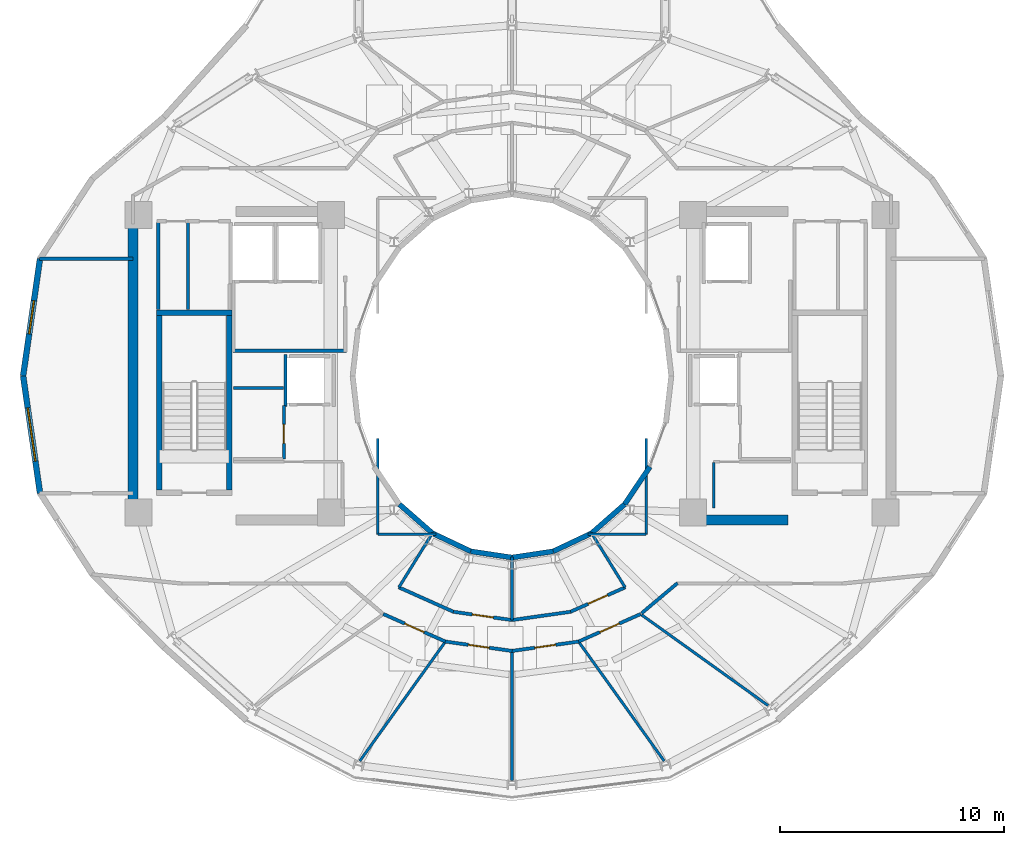
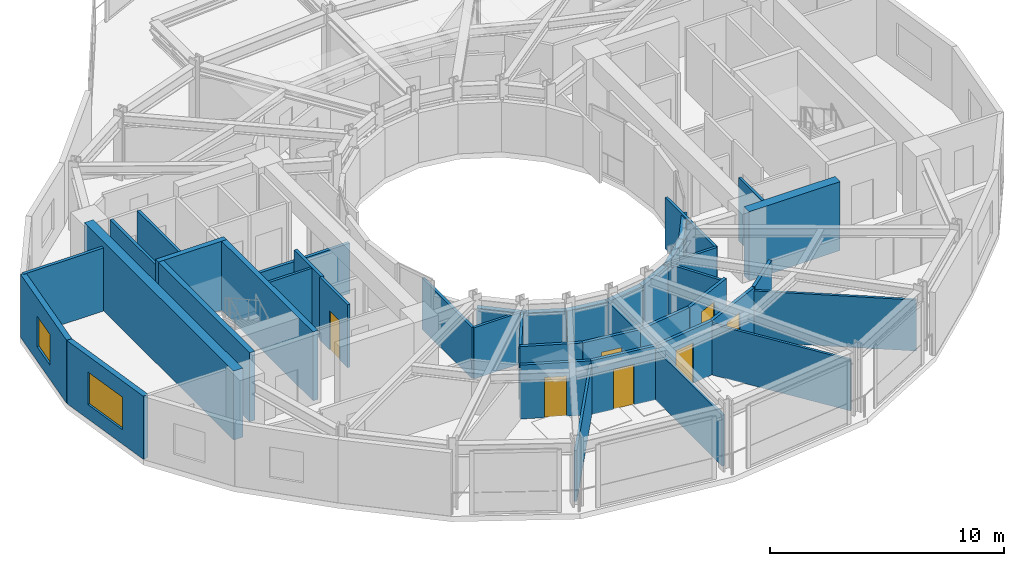
# One storey, part 18 of 24: 42 walls, 7 doors, 2 windows, 9 openings.
"""IFC4 building model written with IfcOpenShell, lengths in metres."""

from ifc_helpers import new_model, si_unit, direction, frame, frame_2d, origin, place, context, subcontext, project, spatial, rectangle, extrude, material, layer, layer_set, type_object, element, fill, save


model = new_model("IFC4")

# Units and contexts
model_context = context("Model", 3, precision=1e-05, world=origin(), true_north=direction((0.0, 1.0)))
body_context = subcontext(model_context, "Body", "Model", "MODEL_VIEW")
ifc_project = project(units=[si_unit("LENGTHUNIT", "METRE"), si_unit("AREAUNIT", "SQUARE_METRE"), si_unit("VOLUMEUNIT", "CUBIC_METRE"), si_unit("PLANEANGLEUNIT", "RADIAN"), si_unit("MASSUNIT", "GRAM", prefix="KILO")], contexts=[model_context])

# Site, building, storey
site_placement = place(None, origin())
site = spatial("IfcSite", under=ifc_project, at=site_placement, CompositionType="ELEMENT")
building_placement = place(site_placement, origin())
building = spatial("IfcBuilding", under=site, at=building_placement, Name="Solvane Sanctuary Tower", CompositionType="ELEMENT")
storey_placement = place(building_placement, frame((0.0, 0.0, 246.0)))
storey = spatial("IfcBuildingStorey", under=building, at=storey_placement, Name="L75", CompositionType="ELEMENT", Elevation=246.0)

# Walls
ifc_material_1 = material(Name="Concrete C50/60", Category="concrete")
ifc_layer_1 = layer(ifc_material_1, 0.449951171875, Name="Concrete C50/60")
ifc_layer_set_1 = layer_set([ifc_layer_1], Name="Concrete C50/60")
wall_type_1 = type_object("IfcWallType", Name="Wall W-CORE-450", PredefinedType="SHEAR", material=ifc_layer_set_1)
wall_1_placement = place(storey_placement, frame((15.050048828125, 17.050048828125, 0.0), z_axis=(0.0, 0.0, 1.0), x_axis=(0.0, 1.0, 0.0)))
element("IfcWall", 1, at=wall_1_placement, inside=storey, type_object=wall_type_1, Name="L75 Core Shear Wall WC-W", PredefinedType="SHEAR", context=body_context, shape_type="SweptSolid", body=[
    extrude(rectangle(XDim=12.800048828125, YDim=0.449951171875, at=frame_2d((6.39990234375, 0.0))), origin(), (0.0, 0.0, 1.0), 3.60009765625),
])
wall_2_placement = place(storey_placement, frame((39.85009765625, 16.550048828125, 0.0), z_axis=(0.0, 0.0, 1.0), x_axis=(1.0, 0.0, 0.0)))
element("IfcWall", 2, at=wall_2_placement, inside=storey, type_object=wall_type_1, Name="L75 Core Shear Wall EC-S", PredefinedType="SHEAR", context=body_context, shape_type="SweptSolid", body=[
    extrude(rectangle(XDim=4.5, YDim=0.449951171875, at=frame_2d((2.25, 0.0))), origin(), (0.0, 0.0, 1.0), 3.60009765625),
])
ifc_material_2 = material(Name="Acoustic Gypsum Partition Board")
ifc_layer_2 = layer(ifc_material_2, 0.14990234375, Name="Acoustic Gypsum Partition Board")
ifc_layer_set_2 = layer_set([ifc_layer_2], Name="Acoustic Gypsum Partition Board")
wall_type_2 = type_object("IfcWallType", Name="Wall W-CORR-150", PredefinedType="PARTITIONING", material=ifc_layer_set_2)
wall_3_placement = place(storey_placement, frame((19.52001953125, 24.1201171875, 0.0), z_axis=(0.0, 0.0, 1.0), x_axis=(1.0, 0.0, 0.0)))
element("IfcWall", 3, at=wall_3_placement, inside=storey, type_object=wall_type_2, Name="L75 West Firefighting Lobby South Wall", PredefinedType="PARTITIONING", context=body_context, shape_type="SweptSolid", body=[
    extrude(rectangle(XDim=5.080078125, YDim=0.14990234375, at=frame_2d((2.5400390625, 0.0))), origin(), (0.0, 0.0, 1.0), 2.6201171875),
])
wall_4_placement = place(storey_placement, frame((26.934814453125, 13.548583984375, 0.0), z_axis=(0.0, 0.0, 1.0), x_axis=(0.912859324183, -0.408274239027, 0.0)))
element("IfcWall", 4, at=wall_4_placement, inside=storey, type_object=wall_type_2, Name="L75 South Light-Well Corridor Wall 1", PredefinedType="PARTITIONING", context=body_context, shape_type="SweptSolid", body=[
    extrude(rectangle(XDim=2.681884765625, YDim=0.14990234375, at=frame_2d((1.3408203125, 0.0))), origin(), (0.0, 0.0, 1.0), 2.81591796875),
])

# Wall, opening, door
wall_5_placement = place(storey_placement, frame((29.379638671875, 12.45458984375, 0.0), z_axis=(0.0, 0.0, 1.0), x_axis=(0.990096156252, -0.140390887794, 0.0)))
wall_5 = element("IfcWall", 5, at=wall_5_placement, inside=storey, type_object=wall_type_2, Name="L75 South Light-Well Corridor Wall 1", PredefinedType="PARTITIONING", context=body_context, shape_type="SweptSolid", body=[
    extrude(rectangle(XDim=2.65380859375, YDim=0.14990234375, at=frame_2d((1.326904296875, 0.0))), origin(), (0.0, 0.0, 1.0), 2.81591796875),
])
opening_1_placement = place(wall_5_placement, frame((0.851806640625, 0.0, 0.0)))
opening_1 = element("IfcOpeningElement", 6, at=opening_1_placement, cuts=wall_5, Name="Opening D-L75-15", PredefinedType="OPENING", context=body_context, shape_type="SweptSolid", body=[
    extrude(rectangle(XDim=0.949951171875, YDim=2.10009765625, at=frame_2d((0.47509765625, 1.050048828125))), frame((0.0, 0.0849609375, 0.0), z_axis=(0.0, -1.0, 0.0), x_axis=(1.0, 0.0, 0.0)), (0.0, 0.0, 1.0), 0.169921875),
])
ifc_material_3 = material(Name="Engineered Tropical Hardwood", Category="wood")
door_type_1 = type_object("IfcDoorType", Name="Door D-ROOM-950", OperationType="NOTDEFINED", PredefinedType="DOOR", material=ifc_material_3)
door_1_placement = place(opening_1_placement, origin())
door_1 = element("IfcDoor", 7, at=door_1_placement, inside=storey, type_object=door_type_1, Name="L75 South Light-Well Alcove Door 1", OperationType="SINGLE_SWING_RIGHT", OverallHeight=2.10009765625, OverallWidth=0.949951171875, PredefinedType="DOOR", context=body_context, shape_type="SweptSolid", body=[
    extrude(rectangle(XDim=0.949951171875, YDim=2.10009765625, at=frame_2d((0.47509765625, 1.050048828125))), frame((0.0, 0.02490234375, 0.0), z_axis=(0.0, -1.0, 0.0), x_axis=(1.0, 0.0, 0.0)), (0.0, 0.0, 1.0), 0.050048828125),
])
fill(opening_1, door_1)

# Wall
wall_6_placement = place(storey_placement, frame((31.992919921875, 12.08203125, 0.0), z_axis=(0.0, 0.0, 1.0), x_axis=(0.990096156252, 0.140390887794, 0.0)))
element("IfcWall", 8, at=wall_6_placement, inside=storey, type_object=wall_type_2, Name="L75 South Light-Well Corridor Wall 2", PredefinedType="PARTITIONING", context=body_context, shape_type="SweptSolid", body=[
    extrude(rectangle(XDim=2.65380859375, YDim=0.14990234375, at=frame_2d((1.326904296875, 0.0))), origin(), (0.0, 0.0, 1.0), 2.81591796875),
])

# Wall, opening, door
wall_7_placement = place(storey_placement, frame((34.616943359375, 12.45361328125, 0.0), z_axis=(0.0, 0.0, 1.0), x_axis=(0.912859324183, 0.408274239027, 0.0)))
wall_7 = element("IfcWall", 9, at=wall_7_placement, inside=storey, type_object=wall_type_2, Name="L75 South Light-Well Corridor Wall 2", PredefinedType="PARTITIONING", context=body_context, shape_type="SweptSolid", body=[
    extrude(rectangle(XDim=2.681884765625, YDim=0.14990234375, at=frame_2d((1.3408203125, 0.0))), origin(), (0.0, 0.0, 1.0), 2.81591796875),
])
opening_2_placement = place(wall_7_placement, frame((0.865966796875, 0.0, 0.0)))
opening_2 = element("IfcOpeningElement", 10, at=opening_2_placement, cuts=wall_7, Name="Opening D-L75-16", PredefinedType="OPENING", context=body_context, shape_type="SweptSolid", body=[
    extrude(rectangle(XDim=0.949951171875, YDim=2.10009765625, at=frame_2d((0.47509765625, 1.050048828125))), frame((0.0, 0.0849609375, 0.0), z_axis=(0.0, -1.0, 0.0), x_axis=(1.0, 0.0, 0.0)), (0.0, 0.0, 1.0), 0.169921875),
])
door_2_placement = place(opening_2_placement, origin())
door_2 = element("IfcDoor", 11, at=door_2_placement, inside=storey, type_object=door_type_1, Name="L75 South Light-Well Alcove Door 2", OperationType="SINGLE_SWING_LEFT", OverallHeight=2.10009765625, OverallWidth=0.949951171875, PredefinedType="DOOR", context=body_context, shape_type="SweptSolid", body=[
    extrude(rectangle(XDim=0.949951171875, YDim=2.10009765625, at=frame_2d((0.47509765625, 1.050048828125))), frame((0.0, 0.02490234375, 0.0), z_axis=(0.0, -1.0, 0.0), x_axis=(1.0, 0.0, 0.0)), (0.0, 0.0, 1.0), 0.050048828125),
])
fill(opening_2, door_2)

# Walls
wall_8_placement = place(storey_placement, frame((10.87548828125, 28.245361328125, 0.0), z_axis=(0.0, 0.0, 1.0), x_axis=(1.0, 0.0, 0.0)))
element("IfcWall", 12, at=wall_8_placement, inside=storey, type_object=wall_type_2, Name="L75 West Shoulder North Wall", PredefinedType="PARTITIONING", context=body_context, shape_type="SweptSolid", body=[
    extrude(rectangle(XDim=4.174560546875, YDim=0.14990234375, at=frame_2d((2.08740234375, 0.0))), origin(), (0.0, 0.0, 1.0), 3.294921875),
])
wall_9_placement = place(storey_placement, frame((37.791015625, 12.385009765625, 0.0), z_axis=(0.0, 0.0, 1.0), x_axis=(0.765677451641, 0.643224719711, 0.0)))
element("IfcWall", 13, at=wall_9_placement, inside=storey, type_object=wall_type_2, Name="L75 SE Corner Throat Wall", PredefinedType="PARTITIONING", context=body_context, shape_type="SweptSolid", body=[
    extrude(rectangle(XDim=2.10546875, YDim=0.14990234375, at=frame_2d((1.052734375, 0.0))), origin(), (0.0, 0.0, 1.0), 2.81591796875),
])

# Wall, opening, door
wall_10_placement = place(storey_placement, frame((26.243896484375, 12.35400390625, 0.0), z_axis=(0.0, 0.0, 1.0), x_axis=(0.914302802833, -0.405031337963, 0.0)))
wall_10 = element("IfcWall", 14, at=wall_10_placement, inside=storey, type_object=wall_type_2, Name="L75 Sky Promenade Corridor Wall S1", PredefinedType="PARTITIONING", context=body_context, shape_type="SweptSolid", body=[
    extrude(rectangle(XDim=3.04931640625, YDim=0.14990234375, at=frame_2d((1.524658203125, 0.0))), origin(), (0.0, 0.0, 1.0), 2.81591796875),
])
opening_3_placement = place(wall_10_placement, frame((1.049560546875, 0.0, 0.0)))
opening_3 = element("IfcOpeningElement", 15, at=opening_3_placement, cuts=wall_10, Name="Opening D-L75-27", PredefinedType="OPENING", context=body_context, shape_type="SweptSolid", body=[
    extrude(rectangle(XDim=0.949951171875, YDim=2.10009765625, at=frame_2d((0.47509765625, 1.050048828125))), frame((0.0, 0.0849609375, 0.0), z_axis=(0.0, -1.0, 0.0), x_axis=(1.0, 0.0, 0.0)), (0.0, 0.0, 1.0), 0.169921875),
])
door_3_placement = place(opening_3_placement, origin())
door_3 = element("IfcDoor", 16, at=door_3_placement, inside=storey, type_object=door_type_1, Name="L75 Sky Hall Entrance Door S1", OperationType="SINGLE_SWING_RIGHT", OverallHeight=2.10009765625, OverallWidth=0.949951171875, PredefinedType="DOOR", context=body_context, shape_type="SweptSolid", body=[
    extrude(rectangle(XDim=0.949951171875, YDim=2.10009765625, at=frame_2d((0.47509765625, 1.050048828125))), frame((0.0, 0.02490234375, 0.0), z_axis=(0.0, -1.0, 0.0), x_axis=(1.0, 0.0, 0.0)), (0.0, 0.0, 1.0), 0.050048828125),
])
fill(opening_3, door_3)

wall_11_placement = place(storey_placement, frame((29.016357421875, 11.123291015625, 0.0), z_axis=(0.0, 0.0, 1.0), x_axis=(0.990225561979, -0.139475217886, 0.0)))
wall_11 = element("IfcWall", 17, at=wall_11_placement, inside=storey, type_object=wall_type_2, Name="L75 Sky Promenade Corridor Wall S2", PredefinedType="PARTITIONING", context=body_context, shape_type="SweptSolid", body=[
    extrude(rectangle(XDim=3.021240234375, YDim=0.14990234375, at=frame_2d((1.5107421875, 0.0))), origin(), (0.0, 0.0, 1.0), 2.81591796875),
])
opening_4_placement = place(wall_11_placement, frame((1.03564453125, 0.0, 0.0)))
opening_4 = element("IfcOpeningElement", 18, at=opening_4_placement, cuts=wall_11, Name="Opening D-L75-28", PredefinedType="OPENING", context=body_context, shape_type="SweptSolid", body=[
    extrude(rectangle(XDim=0.949951171875, YDim=2.10009765625, at=frame_2d((0.47509765625, 1.050048828125))), frame((0.0, 0.0849609375, 0.0), z_axis=(0.0, -1.0, 0.0), x_axis=(1.0, 0.0, 0.0)), (0.0, 0.0, 1.0), 0.169921875),
])
door_4_placement = place(opening_4_placement, origin())
door_4 = element("IfcDoor", 19, at=door_4_placement, inside=storey, type_object=door_type_1, Name="L75 Sky Hall Entrance Door S2", OperationType="SINGLE_SWING_LEFT", OverallHeight=2.10009765625, OverallWidth=0.949951171875, PredefinedType="DOOR", context=body_context, shape_type="SweptSolid", body=[
    extrude(rectangle(XDim=0.949951171875, YDim=2.10009765625, at=frame_2d((0.47509765625, 1.050048828125))), frame((0.0, 0.02490234375, 0.0), z_axis=(0.0, -1.0, 0.0), x_axis=(1.0, 0.0, 0.0)), (0.0, 0.0, 1.0), 0.050048828125),
])
fill(opening_4, door_4)

wall_12_placement = place(storey_placement, frame((31.991943359375, 10.701904296875, 0.0), z_axis=(0.0, 0.0, 1.0), x_axis=(0.990225561979, 0.139475217886, 0.0)))
wall_12 = element("IfcWall", 20, at=wall_12_placement, inside=storey, type_object=wall_type_2, Name="L75 Sky Promenade Corridor Wall S3", PredefinedType="PARTITIONING", context=body_context, shape_type="SweptSolid", body=[
    extrude(rectangle(XDim=3.021240234375, YDim=0.14990234375, at=frame_2d((1.5107421875, 0.0))), origin(), (0.0, 0.0, 1.0), 2.81591796875),
])
opening_5_placement = place(wall_12_placement, frame((1.03564453125, 0.0, 0.0)))
opening_5 = element("IfcOpeningElement", 21, at=opening_5_placement, cuts=wall_12, Name="Opening D-L75-29", PredefinedType="OPENING", context=body_context, shape_type="SweptSolid", body=[
    extrude(rectangle(XDim=0.949951171875, YDim=2.10009765625, at=frame_2d((0.47509765625, 1.050048828125))), frame((0.0, 0.0849609375, 0.0), z_axis=(0.0, -1.0, 0.0), x_axis=(1.0, 0.0, 0.0)), (0.0, 0.0, 1.0), 0.169921875),
])
door_5_placement = place(opening_5_placement, origin())
door_5 = element("IfcDoor", 22, at=door_5_placement, inside=storey, type_object=door_type_1, Name="L75 Sky Hall Entrance Door S3", OperationType="SINGLE_SWING_RIGHT", OverallHeight=2.10009765625, OverallWidth=0.949951171875, PredefinedType="DOOR", context=body_context, shape_type="SweptSolid", body=[
    extrude(rectangle(XDim=0.949951171875, YDim=2.10009765625, at=frame_2d((0.47509765625, 1.050048828125))), frame((0.0, 0.02490234375, 0.0), z_axis=(0.0, -1.0, 0.0), x_axis=(1.0, 0.0, 0.0)), (0.0, 0.0, 1.0), 0.050048828125),
])
fill(opening_5, door_5)

wall_13_placement = place(storey_placement, frame((34.968017578125, 11.118896484375, 0.0), z_axis=(0.0, 0.0, 1.0), x_axis=(0.914302802833, 0.405031337963, 0.0)))
wall_13 = element("IfcWall", 23, at=wall_13_placement, inside=storey, type_object=wall_type_2, Name="L75 Sky Promenade Corridor Wall S4", PredefinedType="PARTITIONING", context=body_context, shape_type="SweptSolid", body=[
    extrude(rectangle(XDim=3.04931640625, YDim=0.14990234375, at=frame_2d((1.524658203125, 0.0))), origin(), (0.0, 0.0, 1.0), 2.81591796875),
])
opening_6_placement = place(wall_13_placement, frame((1.049560546875, 0.0, 0.0)))
opening_6 = element("IfcOpeningElement", 24, at=opening_6_placement, cuts=wall_13, Name="Opening D-L75-30", PredefinedType="OPENING", context=body_context, shape_type="SweptSolid", body=[
    extrude(rectangle(XDim=0.949951171875, YDim=2.10009765625, at=frame_2d((0.47509765625, 1.050048828125))), frame((0.0, 0.0849609375, 0.0), z_axis=(0.0, -1.0, 0.0), x_axis=(1.0, 0.0, 0.0)), (0.0, 0.0, 1.0), 0.169921875),
])
door_6_placement = place(opening_6_placement, origin())
door_6 = element("IfcDoor", 25, at=door_6_placement, inside=storey, type_object=door_type_1, Name="L75 Sky Hall Entrance Door S4", OperationType="SINGLE_SWING_LEFT", OverallHeight=2.10009765625, OverallWidth=0.949951171875, PredefinedType="DOOR", context=body_context, shape_type="SweptSolid", body=[
    extrude(rectangle(XDim=0.949951171875, YDim=2.10009765625, at=frame_2d((0.47509765625, 1.050048828125))), frame((0.0, 0.02490234375, 0.0), z_axis=(0.0, -1.0, 0.0), x_axis=(1.0, 0.0, 0.0)), (0.0, 0.0, 1.0), 0.050048828125),
])
fill(opening_6, door_6)

# Wall, opening, window
ifc_material_4 = material(Name="Precast concrete C40/50", Category="concrete")
ifc_layer_3 = layer(ifc_material_4, 0.260009765625, Name="Precast concrete C40/50")
ifc_layer_set_3 = layer_set([ifc_layer_3], Name="Precast concrete C40/50")
wall_type_3 = type_object("IfcWallType", Name="Wall W-EXT-250", PredefinedType="STANDARD", material=ifc_layer_set_3)
wall_14_placement = place(storey_placement, frame((10.895263671875, 28.23876953125, 0.0), z_axis=(0.0, 0.0, 1.0), x_axis=(-0.142712754019, -0.989764148593, 0.0)))
wall_14 = element("IfcWall", 26, at=wall_14_placement, inside=storey, type_object=wall_type_3, Name="L75 Ceramic-Printed Facade Wall 11", PredefinedType="STANDARD", context=body_context, shape_type="SweptSolid", body=[
    extrude(rectangle(XDim=5.29296875, YDim=0.260009765625, at=frame_2d((2.646484375, 0.0))), origin(), (0.0, 0.0, 1.0), 3.2900390625),
])
opening_7_placement = place(wall_14_placement, frame((1.896484375, 0.0, 0.75)))
opening_7 = element("IfcOpeningElement", 27, at=opening_7_placement, cuts=wall_14, Name="Opening WN-OPER-1500", PredefinedType="OPENING", context=body_context, shape_type="SweptSolid", body=[
    extrude(rectangle(XDim=1.5, YDim=1.60009765625, at=frame_2d((0.75, 0.800048828125))), frame((0.0, 0.139892578125, 0.0), z_axis=(0.0, -1.0, 0.0), x_axis=(1.0, 0.0, 0.0)), (0.0, 0.0, 1.0), 0.280029296875),
])
ifc_material_5 = material(Name="Dark Ceramic-Fritted Low-E Glass", Category="glass")
window_type_1 = type_object("IfcWindowType", Name="Window WN-OPER-1500", PartitioningType="SINGLE_PANEL", PredefinedType="WINDOW", material=ifc_material_5)
window_1_placement = place(opening_7_placement, origin())
window_1 = element("IfcWindow", 28, at=window_1_placement, inside=storey, type_object=window_type_1, Name="L75 Operable Facade Window 11", OverallHeight=1.60009765625, OverallWidth=1.5, PartitioningType="SINGLE_PANEL", PredefinedType="WINDOW", context=body_context, shape_type="SweptSolid", body=[
    extrude(rectangle(XDim=1.5, YDim=1.60009765625, at=frame_2d((0.75, 0.800048828125))), frame((0.0, 0.030029296875, 0.0), z_axis=(0.0, -1.0, 0.0), x_axis=(1.0, 0.0, 0.0)), (0.0, 0.0, 1.0), 0.06005859375),
])
fill(opening_7, window_1)

wall_15_placement = place(storey_placement, frame((10.139892578125, 23.0, 0.0), z_axis=(0.0, 0.0, 1.0), x_axis=(0.142712754019, -0.989764148593, 0.0)))
wall_15 = element("IfcWall", 29, at=wall_15_placement, inside=storey, type_object=wall_type_3, Name="L75 Ceramic-Printed Facade Wall 12", PredefinedType="STANDARD", context=body_context, shape_type="SweptSolid", body=[
    extrude(rectangle(XDim=5.29296875, YDim=0.260009765625, at=frame_2d((2.646484375, 0.0))), origin(), (0.0, 0.0, 1.0), 3.2900390625),
])
opening_8_placement = place(wall_15_placement, frame((1.446533203125, 0.0, 0.75)))
opening_8 = element("IfcOpeningElement", 30, at=opening_8_placement, cuts=wall_15, Name="Opening WN-RIB-2400", PredefinedType="OPENING", context=body_context, shape_type="SweptSolid", body=[
    extrude(rectangle(XDim=2.39990234375, YDim=1.699951171875, at=frame_2d((1.199951171875, 0.85009765625))), frame((0.0, 0.139892578125, 0.0), z_axis=(0.0, -1.0, 0.0), x_axis=(1.0, 0.0, 0.0)), (0.0, 0.0, 1.0), 0.280029296875),
])
window_type_2 = type_object("IfcWindowType", Name="Window WN-RIB-2400", PartitioningType="SINGLE_PANEL", PredefinedType="WINDOW", material=ifc_material_5)
window_2_placement = place(opening_8_placement, origin())
window_2 = element("IfcWindow", 31, at=window_2_placement, inside=storey, type_object=window_type_2, Name="L75 Operable Facade Window 12", OverallHeight=1.699951171875, OverallWidth=2.39990234375, PartitioningType="SINGLE_PANEL", PredefinedType="WINDOW", context=body_context, shape_type="SweptSolid", body=[
    extrude(rectangle(XDim=2.39990234375, YDim=1.699951171875, at=frame_2d((1.199951171875, 0.85009765625))), frame((0.0, 0.030029296875, 0.0), z_axis=(0.0, -1.0, 0.0), x_axis=(1.0, 0.0, 0.0)), (0.0, 0.0, 1.0), 0.06005859375),
])
fill(opening_8, window_2)

# Walls
ifc_layer_4 = layer(ifc_material_4, 0.22998046875, Name="Precast concrete C40/50")
ifc_layer_set_4 = layer_set([ifc_layer_4], Name="Precast concrete C40/50")
wall_type_4 = type_object("IfcWallType", Name="Wall W-EXT-SP220", PredefinedType="STANDARD", material=ifc_layer_set_4)
wall_16_placement = place(storey_placement, frame((26.96533203125, 17.25830078125, 0.0), z_axis=(0.0, 0.0, 1.0), x_axis=(0.752576694707, -0.658504607869, 0.0)))
element("IfcWall", 32, at=wall_16_placement, inside=storey, type_object=wall_type_4, Name="L75 Central Light-Well Wall 15", PredefinedType="STANDARD", context=body_context, shape_type="SweptSolid", body=[
    extrude(rectangle(XDim=1.95947265625, YDim=0.22998046875, at=frame_2d((0.979736328125, 0.0))), origin(), (0.0, 0.0, 1.0), 2.60009765625),
])
wall_17_placement = place(storey_placement, frame((28.43994140625, 15.968017578125, 0.0), z_axis=(0.0, 0.0, 1.0), x_axis=(0.904179699603, -0.427152280606, 0.0)))
element("IfcWall", 33, at=wall_17_placement, inside=storey, type_object=wall_type_4, Name="L75 Central Light-Well Wall 16", PredefinedType="STANDARD", context=body_context, shape_type="SweptSolid", body=[
    extrude(rectangle(XDim=1.899169921875, YDim=0.22998046875, at=frame_2d((0.94970703125, 0.0))), origin(), (0.0, 0.0, 1.0), 2.60009765625),
])
for number, where, z_axis, x_axis, name in (
    (34, (30.1572265625, 15.15673828125, 0.0), (0.0, 0.0, 1.0), (0.988901730308, -0.148571086668, 0.0), "L75 Central Light-Well Wall 17"),
    (35, (32.0, 14.8798828125, 0.0), (0.0, 0.0, 1.0), (0.988901730308, 0.148571086668, 0.0), "L75 Central Light-Well Wall 18"),
):
    element("IfcWall", number, at=place(storey_placement, frame(where, z_axis=z_axis, x_axis=x_axis)), inside=storey, type_object=wall_type_4, Name=name, PredefinedType="STANDARD", context=body_context, shape_type="SweptSolid", body=[
        extrude(rectangle(XDim=1.863525390625, YDim=0.22998046875, at=frame_2d((0.931640625, 0.0))), origin(), (0.0, 0.0, 1.0), 2.60009765625),
    ])
wall_18_placement = place(storey_placement, frame((33.8427734375, 15.15673828125, 0.0), z_axis=(0.0, 0.0, 1.0), x_axis=(0.904179699603, 0.427152280606, 0.0)))
element("IfcWall", 36, at=wall_18_placement, inside=storey, type_object=wall_type_4, Name="L75 Central Light-Well Wall 19", PredefinedType="STANDARD", context=body_context, shape_type="SweptSolid", body=[
    extrude(rectangle(XDim=1.899169921875, YDim=0.22998046875, at=frame_2d((0.94970703125, 0.0))), origin(), (0.0, 0.0, 1.0), 2.60009765625),
])
wall_19_placement = place(storey_placement, frame((35.56005859375, 15.968017578125, 0.0), z_axis=(0.0, 0.0, 1.0), x_axis=(0.752576694707, 0.658504607869, 0.0)))
element("IfcWall", 37, at=wall_19_placement, inside=storey, type_object=wall_type_4, Name="L75 Central Light-Well Wall 20", PredefinedType="STANDARD", context=body_context, shape_type="SweptSolid", body=[
    extrude(rectangle(XDim=1.95947265625, YDim=0.22998046875, at=frame_2d((0.979736328125, 0.0))), origin(), (0.0, 0.0, 1.0), 2.60009765625),
])
wall_20_placement = place(storey_placement, frame((37.03466796875, 17.25830078125, 0.0), z_axis=(0.0, 0.0, 1.0), x_axis=(0.558197800898, 0.829707909492, 0.0)))
element("IfcWall", 38, at=wall_20_placement, inside=storey, type_object=wall_type_4, Name="L75 Central Light-Well Wall 21", PredefinedType="STANDARD", context=body_context, shape_type="SweptSolid", body=[
    extrude(rectangle(XDim=2.02685546875, YDim=0.22998046875, at=frame_2d((1.013427734375, 0.0))), origin(), (0.0, 0.0, 1.0), 2.60009765625),
])
ifc_layer_5 = layer(ifc_material_2, 0.1201171875, Name="Acoustic Gypsum Partition Board")
ifc_layer_set_5 = layer_set([ifc_layer_5], Name="Acoustic Gypsum Partition Board")
wall_type_5 = type_object("IfcWallType", Name="Wall W-MOV-100", PredefinedType="MOVABLE", material=ifc_layer_set_5)
wall_21_placement = place(storey_placement, frame((28.9921875, 11.076416015625, 0.0), z_axis=(0.0, 0.0, 1.0), x_axis=(-0.582726066442, -0.812668648029, 0.0)))
element("IfcWall", 39, at=wall_21_placement, inside=storey, type_object=wall_type_5, Name="L75 Sky Hall Radial Partition 255", PredefinedType="MOVABLE", context=body_context, shape_type="SweptSolid", body=[
    extrude(rectangle(XDim=6.514892578125, YDim=0.1201171875, at=frame_2d((3.25732421875, 0.0))), origin(), (0.0, 0.0, 1.0), 2.659912109375),
])
wall_22_placement = place(storey_placement, frame((32.0, 10.64697265625, 0.0), z_axis=(0.0, 0.0, 1.0), x_axis=(0.0, -1.0, 0.0)))
element("IfcWall", 40, at=wall_22_placement, inside=storey, type_object=wall_type_5, Name="L75 Sky Hall Radial Partition 270", PredefinedType="MOVABLE", context=body_context, shape_type="SweptSolid", body=[
    extrude(rectangle(XDim=5.72705078125, YDim=0.1201171875, at=frame_2d((2.863525390625, 0.0))), origin(), (0.0, 0.0, 1.0), 2.659912109375),
])
wall_23_placement = place(storey_placement, frame((35.0078125, 11.076416015625, 0.0), z_axis=(0.0, 0.0, 1.0), x_axis=(0.582726066442, -0.812668648029, 0.0)))
element("IfcWall", 41, at=wall_23_placement, inside=storey, type_object=wall_type_5, Name="L75 Sky Hall Radial Partition 285", PredefinedType="MOVABLE", context=body_context, shape_type="SweptSolid", body=[
    extrude(rectangle(XDim=6.514892578125, YDim=0.1201171875, at=frame_2d((3.25732421875, 0.0))), origin(), (0.0, 0.0, 1.0), 2.659912109375),
])
wall_24_placement = place(storey_placement, frame((37.793701171875, 12.317626953125, 0.0), z_axis=(0.0, 0.0, 1.0), x_axis=(0.812763742602, -0.582593424879, 0.0)))
element("IfcWall", 42, at=wall_24_placement, inside=storey, type_object=wall_type_5, Name="L75 Sky Hall Radial Partition 300", PredefinedType="MOVABLE", context=body_context, shape_type="SweptSolid", body=[
    extrude(rectangle(XDim=6.965576171875, YDim=0.1201171875, at=frame_2d((3.48291015625, 0.0))), origin(), (0.0, 0.0, 1.0), 2.659912109375),
])
ifc_layer_6 = layer(ifc_material_2, 0.125, Name="Acoustic Gypsum Partition Board")
ifc_layer_set_6 = layer_set([ifc_layer_6], Name="Acoustic Gypsum Partition Board")
wall_type_6 = type_object("IfcWallType", Name="Wall W-PART-125", PredefinedType="PARTITIONING", material=ifc_layer_set_6)
wall_25_placement = place(storey_placement, frame((41.02001953125, 17.10009765625, 0.0), z_axis=(0.0, 0.0, 1.0), x_axis=(0.0, 1.0, 0.0)))
element("IfcWall", 43, at=wall_25_placement, inside=storey, type_object=wall_type_6, Name="L75 Reclaimed Room Closer Wall PLE-1", PredefinedType="PARTITIONING", context=body_context, shape_type="SweptSolid", body=[
    extrude(rectangle(XDim=2.039794921875, YDim=0.125, at=frame_2d((1.02001953125, 0.0))), origin(), (0.0, 0.0, 1.0), 3.294921875),
])

# Wall, opening, door
wall_26_placement = place(storey_placement, frame((21.800048828125, 19.280029296875, 0.0), z_axis=(0.0, 0.0, 1.0), x_axis=(0.0, 1.0, 0.0)))
wall_26 = element("IfcWall", 44, at=wall_26_placement, inside=storey, type_object=wall_type_6, Name="L75 Reclaimed Room Partition PMW", PredefinedType="PARTITIONING", context=body_context, shape_type="SweptSolid", body=[
    extrude(rectangle(XDim=2.39990234375, YDim=0.125, at=frame_2d((1.199951171875, 0.0))), origin(), (0.0, 0.0, 1.0), 3.294921875),
])
opening_9_placement = place(wall_26_placement, frame((0.699951171875, 0.0, 0.0)))
opening_9 = element("IfcOpeningElement", 45, at=opening_9_placement, cuts=wall_26, Name="Opening D-L75-07", PredefinedType="OPENING", context=body_context, shape_type="SweptSolid", body=[
    extrude(rectangle(XDim=0.85009765625, YDim=2.050048828125, at=frame_2d((0.425048828125, 1.02490234375))), frame((0.0, 0.072509765625, 0.0), z_axis=(0.0, -1.0, 0.0), x_axis=(1.0, 0.0, 0.0)), (0.0, 0.0, 1.0), 0.14501953125),
])
ifc_material_6 = material(Name="Architectural Stainless Steel 316", Category="steel")
door_type_2 = type_object("IfcDoorType", Name="Door D-RISER", OperationType="NOTDEFINED", PredefinedType="DOOR", material=ifc_material_6)
door_7_placement = place(opening_9_placement, origin())
door_7 = element("IfcDoor", 46, at=door_7_placement, inside=storey, type_object=door_type_2, Name="L75 Reclaimed Room Door PMW-1", OperationType="SINGLE_SWING_RIGHT", OverallHeight=2.050048828125, OverallWidth=0.85009765625, PredefinedType="DOOR", context=body_context, shape_type="SweptSolid", body=[
    extrude(rectangle(XDim=0.85009765625, YDim=2.050048828125, at=frame_2d((0.425048828125, 1.02490234375))), frame((0.0, 0.02490234375, 0.0), z_axis=(0.0, -1.0, 0.0), x_axis=(1.0, 0.0, 0.0)), (0.0, 0.0, 1.0), 0.050048828125),
])
fill(opening_9, door_7)

# Walls
wall_27_placement = place(storey_placement, frame((19.550048828125, 22.4599609375, 0.0), z_axis=(0.0, 0.0, 1.0), x_axis=(1.0, 0.0, 0.0)))
element("IfcWall", 47, at=wall_27_placement, inside=storey, type_object=wall_type_6, Name="L75 Reclaimed Room Closer Wall PMW-2", PredefinedType="PARTITIONING", context=body_context, shape_type="SweptSolid", body=[
    extrude(rectangle(XDim=2.22998046875, YDim=0.125, at=frame_2d((1.114990234375, 0.0))), origin(), (0.0, 0.0, 1.0), 3.294921875),
])
wall_28_placement = place(storey_placement, frame((28.449951171875, 15.985107421875, 0.0), z_axis=(0.0, 0.0, 1.0), x_axis=(-0.52592395012, -0.850531597702, 0.0)))
element("IfcWall", 48, at=wall_28_placement, inside=storey, type_object=wall_type_6, Name="L75 South Light-Well Radial Wall 240", PredefinedType="PARTITIONING", context=body_context, shape_type="SweptSolid", body=[
    extrude(rectangle(XDim=2.869384765625, YDim=0.125, at=frame_2d((1.4345703125, 0.0))), origin(), (0.0, 0.0, 1.0), 2.672119140625),
])
wall_29_placement = place(storey_placement, frame((32.0, 14.89990234375, 0.0), z_axis=(0.0, 0.0, 1.0), x_axis=(0.0, -1.0, 0.0)))
element("IfcWall", 49, at=wall_29_placement, inside=storey, type_object=wall_type_6, Name="L75 South Light-Well Radial Wall 270", PredefinedType="PARTITIONING", context=body_context, shape_type="SweptSolid", body=[
    extrude(rectangle(XDim=2.81787109375, YDim=0.125, at=frame_2d((1.408935546875, 0.0))), origin(), (0.0, 0.0, 1.0), 2.672119140625),
])
wall_30_placement = place(storey_placement, frame((35.550048828125, 15.985107421875, 0.0), z_axis=(0.0, 0.0, 1.0), x_axis=(0.52592395012, -0.850531597702, 0.0)))
element("IfcWall", 50, at=wall_30_placement, inside=storey, type_object=wall_type_6, Name="L75 South Light-Well Radial Wall 300", PredefinedType="PARTITIONING", context=body_context, shape_type="SweptSolid", body=[
    extrude(rectangle(XDim=2.869384765625, YDim=0.125, at=frame_2d((1.4345703125, 0.0))), origin(), (0.0, 0.0, 1.0), 2.672119140625),
])
wall_31_placement = place(storey_placement, frame((26.0, 15.919921875, 0.0), z_axis=(0.0, 0.0, 1.0), x_axis=(0.0, 1.0, 0.0)))
element("IfcWall", 51, at=wall_31_placement, inside=storey, type_object=wall_type_6, Name="L75 Bridge Alcove Wall 5", PredefinedType="PARTITIONING", context=body_context, shape_type="SweptSolid", body=[
    extrude(rectangle(XDim=4.280029296875, YDim=0.125, at=frame_2d((2.14013671875, 0.0))), origin(), (0.0, 0.0, 1.0), 2.672119140625),
])
wall_32_placement = place(storey_placement, frame((26.0, 15.919921875, 0.0), z_axis=(0.0, 0.0, 1.0), x_axis=(1.0, 0.0, 0.0)))
element("IfcWall", 52, at=wall_32_placement, inside=storey, type_object=wall_type_6, Name="L75 Bridge Alcove Wall 6", PredefinedType="PARTITIONING", context=body_context, shape_type="SweptSolid", body=[
    extrude(rectangle(XDim=2.60009765625, YDim=0.125, at=frame_2d((1.300048828125, 0.0))), origin(), (0.0, 0.0, 1.0), 2.672119140625),
])
wall_33_placement = place(storey_placement, frame((38.0, 15.919921875, 0.0), z_axis=(0.0, 0.0, 1.0), x_axis=(0.0, 1.0, 0.0)))
element("IfcWall", 53, at=wall_33_placement, inside=storey, type_object=wall_type_6, Name="L75 Bridge Alcove Wall 7", PredefinedType="PARTITIONING", context=body_context, shape_type="SweptSolid", body=[
    extrude(rectangle(XDim=4.280029296875, YDim=0.125, at=frame_2d((2.14013671875, 0.0))), origin(), (0.0, 0.0, 1.0), 2.672119140625),
])
wall_34_placement = place(storey_placement, frame((35.39990234375, 15.919921875, 0.0), z_axis=(0.0, 0.0, 1.0), x_axis=(1.0, 0.0, 0.0)))
element("IfcWall", 54, at=wall_34_placement, inside=storey, type_object=wall_type_6, Name="L75 Bridge Alcove Wall 8", PredefinedType="PARTITIONING", context=body_context, shape_type="SweptSolid", body=[
    extrude(rectangle(XDim=2.60009765625, YDim=0.125, at=frame_2d((1.300048828125, 0.0))), origin(), (0.0, 0.0, 1.0), 2.672119140625),
])
ifc_layer_7 = layer(ifc_material_1, 0.14990234375, Name="Concrete C50/60")
ifc_layer_set_7 = layer_set([ifc_layer_7], Name="Concrete C50/60")
wall_type_7 = type_object("IfcWallType", Name="Wall W-SHAFT-150", PredefinedType="SOLIDWALL", material=ifc_layer_set_7)
wall_35_placement = place(storey_placement, frame((21.8701171875, 21.639892578125, 0.0), z_axis=(0.0, 0.0, 1.0), x_axis=(0.0, 1.0, 0.0)))
element("IfcWall", 55, at=wall_35_placement, inside=storey, type_object=wall_type_7, Name="L75 PH-1 Lift Shaft Wall S1", PredefinedType="SOLIDWALL", context=body_context, shape_type="SweptSolid", body=[
    extrude(rectangle(XDim=2.320068359375, YDim=0.14990234375, at=frame_2d((1.16015625, 0.0))), origin(), (0.0, 0.0, 1.0), 3.294921875),
])
ifc_layer_8 = layer(ifc_material_1, 0.25, Name="Concrete C50/60")
ifc_layer_set_8 = layer_set([ifc_layer_8], Name="Concrete C50/60")
wall_type_8 = type_object("IfcWallType", Name="Wall W-SHAFT-250", PredefinedType="SOLIDWALL", material=ifc_layer_set_8)
wall_36_placement = place(storey_placement, frame((16.10498046875, 25.830078125, 0.0), z_axis=(0.0, 0.0, 1.0), x_axis=(1.0, 0.0, 0.0)))
element("IfcWall", 56, at=wall_36_placement, inside=storey, type_object=wall_type_8, Name="L75 ST-1 Load-Bearing Shaft Wall N", PredefinedType="SOLIDWALL", context=body_context, shape_type="SweptSolid", body=[
    extrude(rectangle(XDim=3.3701171875, YDim=0.25, at=frame_2d((1.68505859375, 0.0))), origin(), (0.0, 0.0, 1.0), 3.60009765625),
])
for number, where, z_axis, x_axis, name in (
    (57, (16.22998046875, 17.89501953125, 0.0), (0.0, 0.0, 1.0), (0.0, 1.0, 0.0), "L75 ST-1 Load-Bearing Shaft Wall W"),
    (58, (19.35009765625, 17.89501953125, 0.0), (0.0, 0.0, 1.0), (0.0, 1.0, 0.0), "L75 ST-1 Load-Bearing Shaft Wall E"),
):
    element("IfcWall", number, at=place(storey_placement, frame(where, z_axis=z_axis, x_axis=x_axis)), inside=storey, type_object=wall_type_8, Name=name, PredefinedType="SOLIDWALL", context=body_context, shape_type="SweptSolid", body=[
        extrude(rectangle(XDim=7.81005859375, YDim=0.25, at=frame_2d((3.905029296875, 0.0))), origin(), (0.0, 0.0, 1.0), 3.60009765625),
    ])
ifc_layer_9 = layer(ifc_material_2, 0.139892578125, Name="Acoustic Gypsum Partition Board")
ifc_layer_set_9 = layer_set([ifc_layer_9], Name="Acoustic Gypsum Partition Board")
wall_type_9 = type_object("IfcWallType", Name="Wall W-WET-140", PredefinedType="PLUMBINGWALL", material=ifc_layer_set_9)
for number, where, z_axis, x_axis, name in (
    (59, (16.179931640625, 25.97998046875, 0.0), (0.0, 0.0, 1.0), (0.0, 1.0, 0.0), "L75 Core Service Side Wall KW1-1"),
    (60, (17.52001953125, 25.97998046875, 0.0), (0.0, 0.0, 1.0), (0.0, 1.0, 0.0), "L75 Core Service Side Wall KW1-2"),
):
    element("IfcWall", number, at=place(storey_placement, frame(where, z_axis=z_axis, x_axis=x_axis)), inside=storey, type_object=wall_type_9, Name=name, PredefinedType="PLUMBINGWALL", context=body_context, shape_type="SweptSolid", body=[
        extrude(rectangle(XDim=3.880126953125, YDim=0.139892578125, at=frame_2d((1.93994140625, 0.0))), origin(), (0.0, 0.0, 1.0), 3.294921875),
    ])

save(model, "model.ifc")
